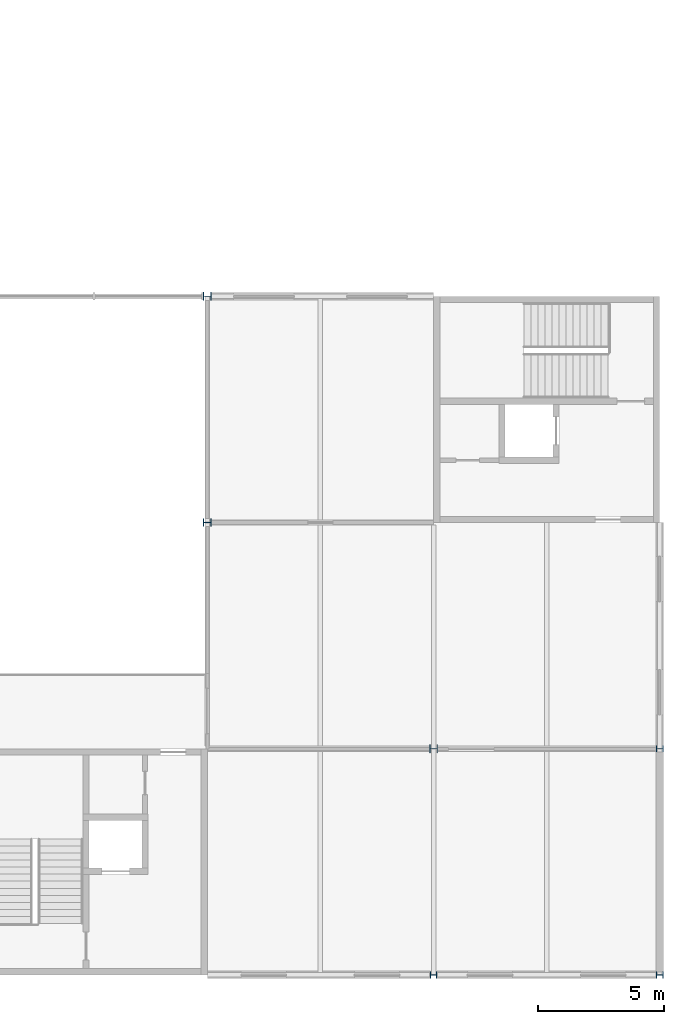
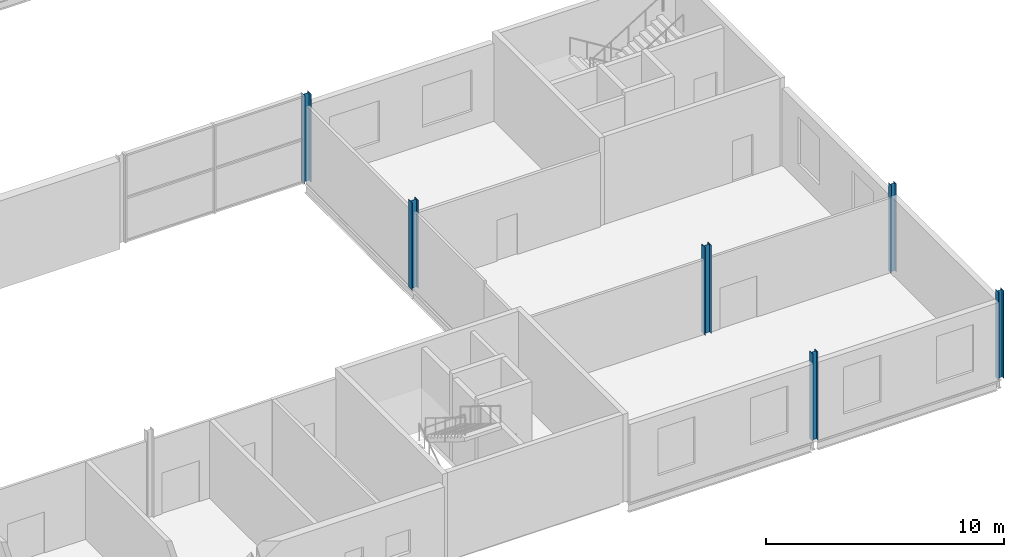
# One storey, part 22 of 97: 6 columns.
"""IFC4 building model written with IfcOpenShell, lengths in metres."""

from ifc_helpers import new_model, si_unit, direction, frame, origin, origin_2d, place, context, subcontext, project, spatial, i_section, extrude, material, material_profile, profile_set, type_object, element, save


model = new_model("IFC4")

# Units and contexts
model_context = context("Model", 3, precision=1e-05, world=origin(), true_north=direction((0.0, 1.0)))
body_context = subcontext(model_context, "Body", "Model", "MODEL_VIEW")
ifc_project = project(units=[si_unit("LENGTHUNIT", "METRE"), si_unit("AREAUNIT", "SQUARE_METRE"), si_unit("VOLUMEUNIT", "CUBIC_METRE"), si_unit("PLANEANGLEUNIT", "RADIAN"), si_unit("MASSUNIT", "GRAM", prefix="KILO")], contexts=[model_context])

# Site, building, storey
site_placement = place(None, origin())
site = spatial("IfcSite", under=ifc_project, at=site_placement, CompositionType="ELEMENT")
building_placement = place(site_placement, origin())
building = spatial("IfcBuilding", under=site, at=building_placement, Name="Corbel Yard City Hall", CompositionType="ELEMENT")
storey_placement = place(building_placement, frame((0.0, 0.0, 6.0)))
storey = spatial("IfcBuildingStorey", under=building, at=storey_placement, Name="L01", CompositionType="ELEMENT", Elevation=6.0)

# Columns
ifc_material = material(Name="Steel Grade 300 (300 MPa yield)", Category="steel")
ifc_material_profile_1 = material_profile(ifc_material, i_section(OverallWidth=0.256103515625, OverallDepth=0.260009765625, WebThickness=0.010498046875, FlangeThickness=0.017333984375, at=origin_2d()), Name="250UC89.5")
ifc_profile_set_1 = profile_set([ifc_material_profile_1], Name="Steel Grade 300 (300 MPa yield)")
column_type_1 = type_object("IfcColumnType", Name="Column 250UC89.5", PredefinedType="COLUMN", material=ifc_profile_set_1)
for number, where, z_axis, x_axis, name in (
    (1, (171.0, 0.0, 0.0), (0.0, 0.0, 1.0), (0.0, 1.0, 0.0), "Column 250UC89.5 A/20 L01"),
    (2, (180.0, 0.0, 0.0), (0.0, 0.0, 1.0), (0.0, 1.0, 0.0), "Column 250UC89.5 A/21 L01"),
    (3, (180.0, 9.0, 0.0), (0.0, 0.0, 1.0), (0.0, 1.0, 0.0), "Column 250UC89.5 B/21 L01"),
):
    element("IfcColumn", number, at=place(storey_placement, frame(where, z_axis=z_axis, x_axis=x_axis)), inside=storey, type_object=column_type_1, Name=name, PredefinedType="COLUMN", context=body_context, shape_type="SweptSolid", body=[
        extrude(i_section(OverallWidth=0.256103515625, OverallDepth=0.260009765625, WebThickness=0.010498046875, FlangeThickness=0.017333984375, at=origin_2d()), origin(), (0.0, 0.0, 1.0), 4.5),
    ])
ifc_material_profile_2 = material_profile(ifc_material, i_section(OverallWidth=0.306884765625, OverallDepth=0.31494140625, WebThickness=0.011962890625, FlangeThickness=0.018798828125, at=origin_2d()), Name="310UC118")
ifc_profile_set_2 = profile_set([ifc_material_profile_2], Name="Steel Grade 300 (300 MPa yield)")
column_type_2 = type_object("IfcColumnType", Name="Column 310UC118", PredefinedType="COLUMN", material=ifc_profile_set_2)
for number, where, z_axis, x_axis, name in (
    (4, (162.0, 18.0, 0.0), (0.0, 0.0, 1.0), (0.0, 1.0, 0.0), "Column 310UC118 C/19 L01"),
    (5, (162.0, 27.0, 0.0), (0.0, 0.0, 1.0), (0.0, 1.0, 0.0), "Column 310UC118 D/19 L01"),
    (6, (171.0, 9.0, 0.0), (0.0, 0.0, 1.0), (0.0, 1.0, 0.0), "Column 310UC118 B/20 L01"),
):
    element("IfcColumn", number, at=place(storey_placement, frame(where, z_axis=z_axis, x_axis=x_axis)), inside=storey, type_object=column_type_2, Name=name, PredefinedType="COLUMN", context=body_context, shape_type="SweptSolid", body=[
        extrude(i_section(OverallWidth=0.306884765625, OverallDepth=0.31494140625, WebThickness=0.011962890625, FlangeThickness=0.018798828125, at=origin_2d()), origin(), (0.0, 0.0, 1.0), 4.5),
    ])

save(model, "model.ifc")
